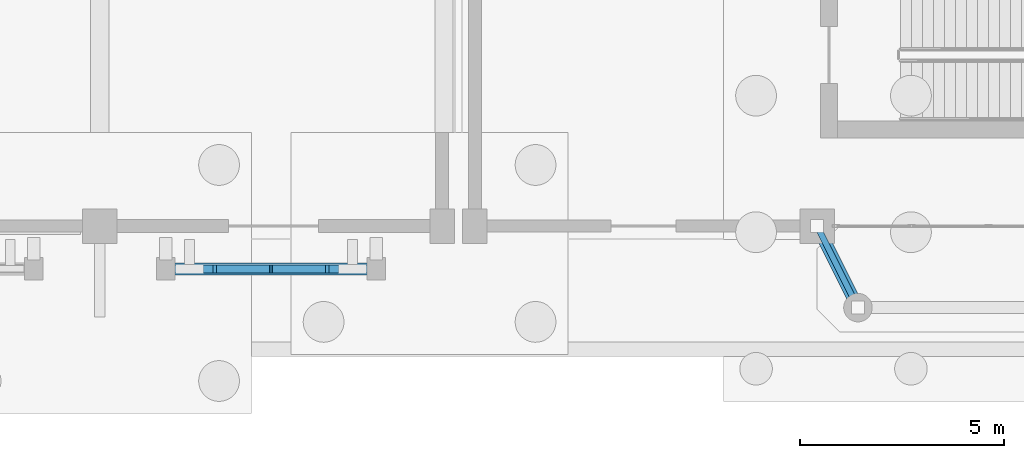
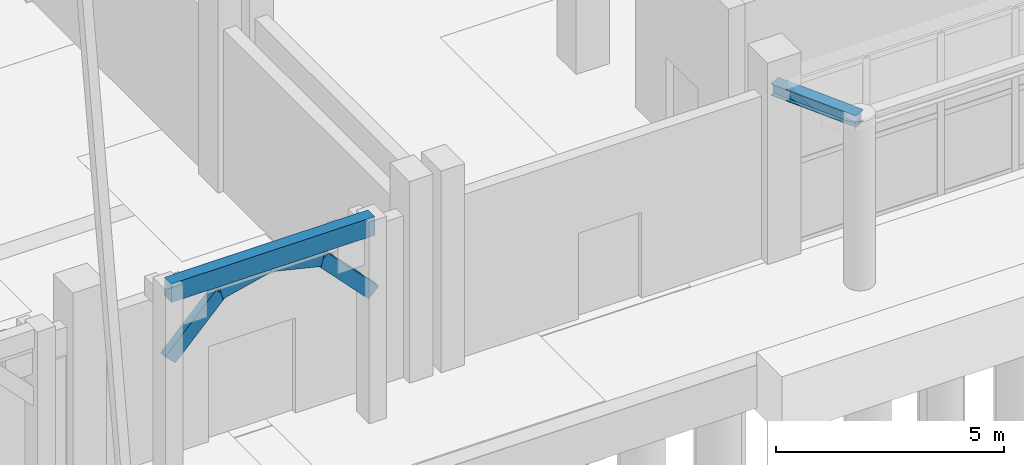
# One storey, part 22 of 98: 5 members, 2 beams.
"""IFC4 building model written with IfcOpenShell, lengths in metres."""

from ifc_helpers import new_model, si_unit, direction, frame, origin, origin_2d, place, context, subcontext, project, spatial, rectangle, hollow_rectangle, i_section, extrude, material, material_profile, profile_set, type_object, element, save


model = new_model("IFC4")

# Units and contexts
model_context = context("Model", 3, precision=1e-05, world=origin(), true_north=direction((0.0, 1.0)))
body_context = subcontext(model_context, "Body", "Model", "MODEL_VIEW")
ifc_project = project(units=[si_unit("LENGTHUNIT", "METRE"), si_unit("AREAUNIT", "SQUARE_METRE"), si_unit("VOLUMEUNIT", "CUBIC_METRE"), si_unit("PLANEANGLEUNIT", "RADIAN"), si_unit("MASSUNIT", "GRAM", prefix="KILO")], contexts=[model_context])

# Site, building, storey
site_placement = place(None, origin())
site = spatial("IfcSite", under=ifc_project, at=site_placement, CompositionType="ELEMENT")
building_placement = place(site_placement, origin())
building = spatial("IfcBuilding", under=site, at=building_placement, Name="Xazarin Passage Department Store", CompositionType="ELEMENT")
storey_placement = place(building_placement, origin())
storey = spatial("IfcBuildingStorey", under=building, at=storey_placement, Name="L00", CompositionType="ELEMENT", Elevation=0.0)

# Beams
ifc_material_1 = material(Name="Steel S355", Category="steel")
ifc_material_profile_1 = material_profile(ifc_material_1, i_section(OverallWidth=0.300048828125, OverallDepth=0.31005859375, WebThickness=0.009033203125, FlangeThickness=0.015380859375, FilletRadius=0.027099609375, at=origin_2d()), Name="HEA 320")
ifc_profile_set_1 = profile_set([ifc_material_profile_1], Name="Steel S355")
beam_type_1 = type_object("IfcBeamType", Name="STR-BM-CAN320", PredefinedType="BEAM", material=ifc_profile_set_1)
beam_1_placement = place(storey_placement, frame((76.39990234375, 0.0, 4.375), z_axis=(0.4472135955, -0.894427191, 0.0), x_axis=(0.894427191, 0.4472135955, 0.0)))
element("IfcBeam", 1, at=beam_1_placement, inside=storey, type_object=beam_type_1, Name="Entrance Canopy Frame Beam CN2-1", PredefinedType="BEAM", context=body_context, shape_type="SweptSolid", body=[
    extrude(i_section(OverallWidth=0.300048828125, OverallDepth=0.31005859375, WebThickness=0.009033203125, FlangeThickness=0.015380859375, FilletRadius=0.027099609375, at=origin_2d()), origin(), (0.0, 0.0, 1.0), 2.236083984375),
])
ifc_material_2 = material(Name="Concrete C35/45", Category="concrete")
ifc_material_profile_2 = material_profile(ifc_material_2, rectangle(XDim=0.300048828125, YDim=0.5, at=origin_2d()), Name="RC 300x500")
ifc_profile_set_2 = profile_set([ifc_material_profile_2], Name="Concrete C35/45")
beam_type_2 = type_object("IfcBeamType", Name="STR-BM-LN300x500", PredefinedType="LINTEL", material=ifc_profile_set_2)
beam_2_placement = place(storey_placement, frame((60.419921875, -1.050048828125, 5.14990234375), z_axis=(1.0, 0.0, 0.0), x_axis=(0.0, 1.0, 0.0)))
element("IfcBeam", 2, at=beam_2_placement, inside=storey, type_object=beam_type_2, Name="L00 V3 Colonnade Spandrel Beam 033", PredefinedType="LINTEL", context=body_context, shape_type="SweptSolid", body=[
    extrude(rectangle(XDim=0.300048828125, YDim=0.5, at=origin_2d()), origin(), (0.0, 0.0, 1.0), 5.16015625),
])

# Members
ifc_material_3 = material(Name="Concrete C40/50", Category="concrete")
ifc_material_profile_3 = material_profile(ifc_material_3, rectangle(XDim=0.199951171875, YDim=0.360107421875, at=origin_2d()), Name="RC 200x360")
ifc_profile_set_3 = profile_set([ifc_material_profile_3], Name="Concrete C40/50")
member_type_1 = type_object("IfcMemberType", Name="STR-MEM-ARC360", PredefinedType="CHORD", material=ifc_profile_set_3)
member_1_placement = place(storey_placement, frame((60.419921875, -1.050048828125, 3.330078125), z_axis=(0.693460080602, 0.0, 0.720495049679), x_axis=(0.0, 1.0, 0.0)))
element("IfcMember", 3, at=member_1_placement, inside=storey, type_object=member_type_1, Name="L00 V3 Pierced Lattice Curved Arch 033.1", PredefinedType="CHORD", context=body_context, shape_type="SweptSolid", body=[
    extrude(rectangle(XDim=0.199951171875, YDim=0.360107421875, at=origin_2d()), origin(), (0.0, 0.0, 1.0), 1.8603515625),
])
for number, where, z_axis, x_axis, name in (
    (4, (61.7099609375, -1.050048828125, 4.67041015625), (0.972393983317, 0.0, 0.233345111818), (0.0, 1.0, 0.0), "L00 V3 Pierced Lattice Curved Arch 033.2"),
    (5, (63.0, -1.050048828125, 4.97998046875), (0.972393983317, 0.0, -0.233345111818), (0.0, 1.0, 0.0), "L00 V3 Pierced Lattice Curved Arch 033.3"),
):
    element("IfcMember", number, at=place(storey_placement, frame(where, z_axis=z_axis, x_axis=x_axis)), inside=storey, type_object=member_type_1, Name=name, PredefinedType="CHORD", context=body_context, shape_type="SweptSolid", body=[
        extrude(rectangle(XDim=0.199951171875, YDim=0.360107421875, at=origin_2d()), origin(), (0.0, 0.0, 1.0), 1.32666015625),
    ])
member_2_placement = place(storey_placement, frame((64.2900390625, -1.050048828125, 4.67041015625), z_axis=(0.693460080602, 0.0, -0.720495049679), x_axis=(0.0, 1.0, 0.0)))
element("IfcMember", 6, at=member_2_placement, inside=storey, type_object=member_type_1, Name="L00 V3 Pierced Lattice Curved Arch 033.4", PredefinedType="CHORD", context=body_context, shape_type="SweptSolid", body=[
    extrude(rectangle(XDim=0.199951171875, YDim=0.360107421875, at=origin_2d()), origin(), (0.0, 0.0, 1.0), 1.8603515625),
])
ifc_material_profile_4 = material_profile(ifc_material_1, hollow_rectangle(XDim=0.14990234375, YDim=0.25, WallThickness=0.010009765625, at=origin_2d()), Name="RHS 250x150x10")
ifc_profile_set_4 = profile_set([ifc_material_profile_4], Name="Steel S355")
member_type_2 = type_object("IfcMemberType", Name="STR-MEM-CH250", PredefinedType="CHORD", material=ifc_profile_set_4)
member_3_placement = place(storey_placement, frame((76.39990234375, 0.0, 4.3701171875), z_axis=(0.4472135955, -0.894427191, 0.0), x_axis=(0.894427191, 0.4472135955, 0.0)))
element("IfcMember", 7, at=member_3_placement, inside=storey, type_object=member_type_2, Name="Entrance Canopy Outrigger Chord CN2-1", PredefinedType="CHORD", context=body_context, shape_type="SweptSolid", body=[
    extrude(hollow_rectangle(XDim=0.14990234375, YDim=0.25, WallThickness=0.010009765625, at=origin_2d()), origin(), (0.0, 0.0, 1.0), 2.236083984375),
])

save(model, "model.ifc")
